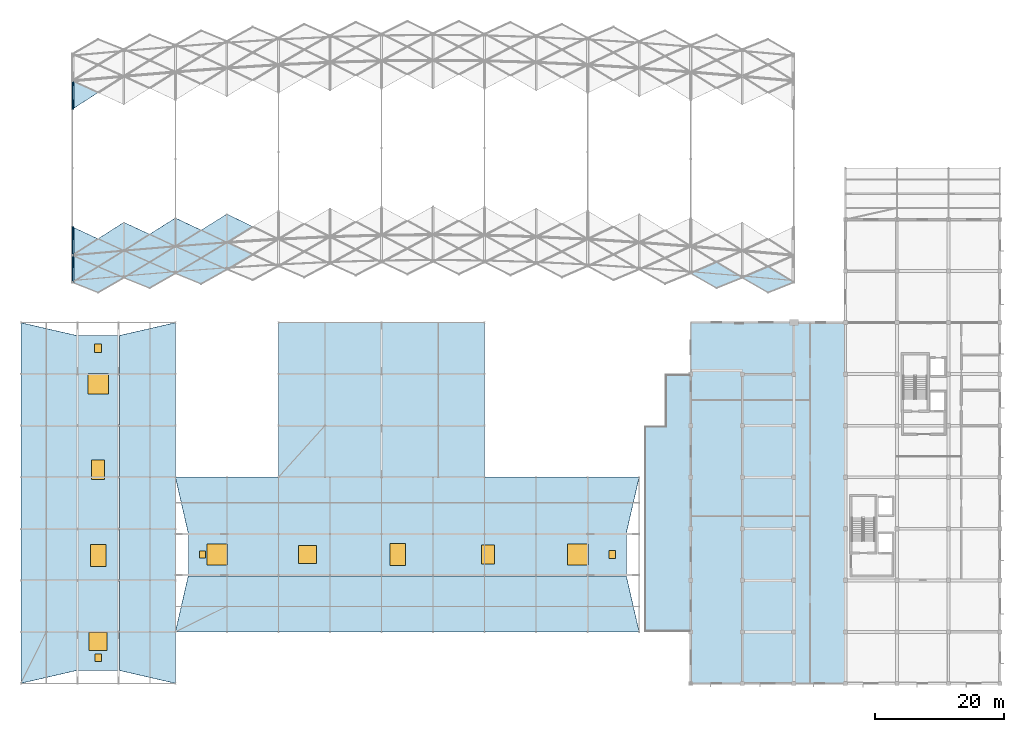
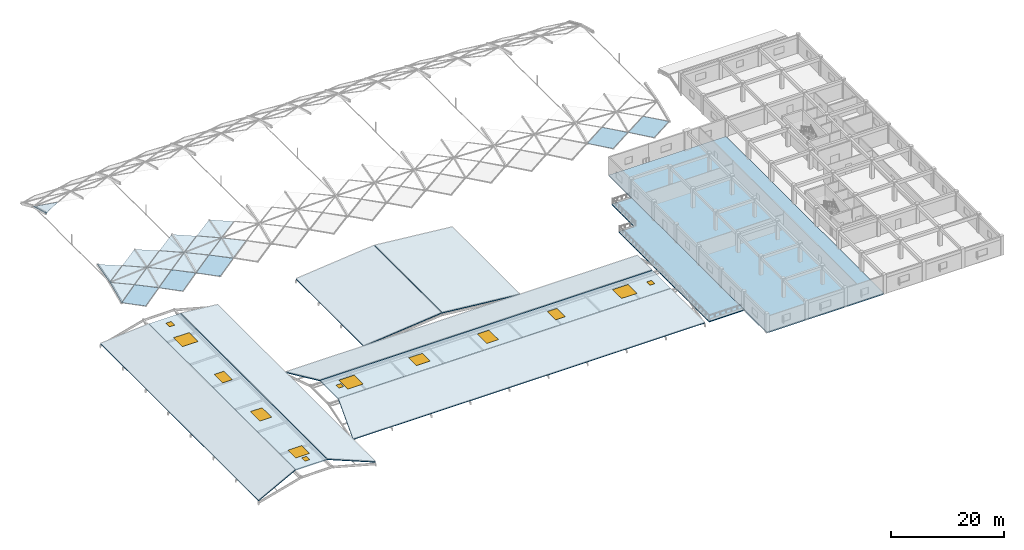
# One storey, part 31 of 54: 20 plates, 10 slabs, 9 windows, 4 doors, 13 openings.
"""IFC4 building model written with IfcOpenShell, lengths in metres."""

import ifcopenshell
import ifcopenshell.guid

model = None  # the IFC model being written
_history = None  # IfcOwnerHistory: only IFC2X3 demands one
_inside = {}  # id of a spatial element -> (the spatial element, [elements in it])
_under = {}  # id of a project, library or spatial element -> (it, [spatial elements below it])
_declared = {}  # id of a project -> (the project, [libraries it declares])
_typed = {}  # id of a type object -> (the type object, [elements of that type])
_made_of = {}  # id of a material, layer set ... -> (it, [elements and type objects made of it])


def new_model(schema):
    """Start an empty IFC model of exactly this schema.

    Asked for "IFC4X3", IfcOpenShell would pick the latest addendum, in which some entities
    have other attributes; the version numbers below select the first issue.
    IFC2X3 requires an IfcOwnerHistory on every rooted entity: one is made here for all.
    """
    global model, _history
    if schema == "IFC4X3":
        model = ifcopenshell.file(schema_version=(4, 3, 0, 0))
    else:
        model = ifcopenshell.file(schema=schema)
    _inside.clear()
    _under.clear()
    _declared.clear()
    _typed.clear()
    _made_of.clear()
    _history = None
    if model.schema == "IFC2X3":
        org = make("IfcOrganization", Name="unknown")
        user = make(
            "IfcPersonAndOrganization",
            ThePerson=make("IfcPerson", FamilyName="unknown"),
            TheOrganization=org,
        )
        app = make(
            "IfcApplication",
            ApplicationDeveloper=org,
            Version="unknown",
            ApplicationFullName="unknown",
            ApplicationIdentifier="unknown",
        )
        _history = make(
            "IfcOwnerHistory",
            OwningUser=user,
            OwningApplication=app,
            ChangeAction="ADDED",
            CreationDate=0,
        )
    return model


def make(cls, **values):
    """One entity of the class cls with the attributes given. An attribute that is None is left unset."""
    return model.create_entity(
        cls, **{name: value for name, value in values.items() if value is not None}
    )


def rooted(cls, **values):
    """An entity with a GlobalId (a new one), such as an element, a storey or a relation."""
    return make(cls, GlobalId=ifcopenshell.guid.new(), OwnerHistory=_history, **values)


def si_unit(unit_type, name, prefix=None):
    """IfcSIUnit, for example si_unit("LENGTHUNIT", "METRE", prefix="MILLI")."""
    return make("IfcSIUnit", UnitType=unit_type, Prefix=prefix, Name=name)


def assignment(units):
    """IfcUnitAssignment: the units of a project."""
    return None if units is None else make("IfcUnitAssignment", Units=units)


def point(xyz):
    """IfcCartesianPoint."""
    return None if xyz is None else make("IfcCartesianPoint", Coordinates=xyz)


def direction(xyz):
    """IfcDirection."""
    return None if xyz is None else make("IfcDirection", DirectionRatios=xyz)


def frame(location, z_axis=None, x_axis=None):
    """IfcAxis2Placement3D, a coordinate frame: its origin and axes. An axis left out is left unset."""
    return make(
        "IfcAxis2Placement3D",
        Location=point(location),
        Axis=direction(z_axis),
        RefDirection=direction(x_axis),
    )


def frame_2d(location, x_axis=None):
    """IfcAxis2Placement2D, a coordinate frame in the plane: its origin and x axis."""
    return make(
        "IfcAxis2Placement2D", Location=point(location), RefDirection=direction(x_axis)
    )


def origin():
    """The frame at (0, 0, 0) with its axes left unset."""
    return frame((0.0, 0.0, 0.0))


def origin_2d():
    """The frame at (0, 0) in the plane with its x axis left unset."""
    return frame_2d((0.0, 0.0))


def place(relative_to, where):
    """IfcLocalPlacement: puts the frame where relative to a parent placement (None: the world)."""
    return make(
        "IfcLocalPlacement", PlacementRelTo=relative_to, RelativePlacement=where
    )


def context(
    kind, dimensions, precision=None, world=None, true_north=None, identifier=None
):
    """IfcGeometricRepresentationContext, for example the 3D "Model" context."""
    return make(
        "IfcGeometricRepresentationContext",
        ContextIdentifier=identifier,
        ContextType=kind,
        CoordinateSpaceDimension=dimensions,
        Precision=precision,
        WorldCoordinateSystem=world,
        TrueNorth=true_north,
    )


def subcontext(parent, identifier, kind, view, scale=None):
    """IfcGeometricRepresentationSubContext, for example "Body" below "Model"."""
    return make(
        "IfcGeometricRepresentationSubContext",
        ContextIdentifier=identifier,
        ContextType=kind,
        ParentContext=parent,
        TargetScale=scale,
        TargetView=view,
    )


def project(units=None, contexts=None):
    """IfcProject with its units and contexts."""
    return rooted(
        "IfcProject",
        Name="project",
        RepresentationContexts=contexts,
        UnitsInContext=assignment(units),
    )


def spatial(cls, under=None, at=None, **own):
    """A site, building, storey or space (cls), placed at a placement, below another one or the project."""
    s = rooted(cls, ObjectPlacement=at, **own)
    if under is not None:
        _under.setdefault(under.id(), (under, []))[1].append(s)
    return s


def polyline(points):
    """IfcPolyline through the points."""
    return make("IfcPolyline", Points=[point(p) for p in points])


def profile(cls, at=None, kind="AREA", **sizes):
    """A parametric profile (cls). Its sizes go by their IFC names, for example OverallWidth=200.0."""
    return make(cls, ProfileType=kind, Position=at, **sizes)


def rectangle(**sizes):
    """IfcRectangleProfileDef."""
    return profile("IfcRectangleProfileDef", **sizes)


def outline(outer, holes=None, kind="AREA"):
    """IfcArbitraryClosedProfileDef: a profile drawn as a closed curve; with holes, ...WithVoids."""
    if holes is None:
        return make("IfcArbitraryClosedProfileDef", ProfileType=kind, OuterCurve=outer)
    return make(
        "IfcArbitraryProfileDefWithVoids",
        ProfileType=kind,
        OuterCurve=outer,
        InnerCurves=holes,
    )


def extrude(swept, where, along, depth):
    """IfcExtrudedAreaSolid: the profile swept, set in the frame where, extruded along a direction by depth."""
    return make(
        "IfcExtrudedAreaSolid",
        SweptArea=swept,
        Position=where,
        ExtrudedDirection=direction(along),
        Depth=depth,
    )


def shape(context_of_items, identifier, shape_type, items):
    """IfcShapeRepresentation: the items that make up one representation, for example the "Body"."""
    return make(
        "IfcShapeRepresentation",
        ContextOfItems=context_of_items,
        RepresentationIdentifier=identifier,
        RepresentationType=shape_type,
        Items=items,
    )


def material(Name=None, Category=None):
    """IfcMaterial."""
    return make("IfcMaterial", Name=Name, Category=Category)


def layer(
    of_material, thickness, ventilated=None, Name=None, Category=None, Priority=None
):
    """IfcMaterialLayer: one layer of a wall or slab, of a material (None: an air gap)."""
    return make(
        "IfcMaterialLayer",
        Material=of_material,
        LayerThickness=thickness,
        IsVentilated=ventilated,
        Name=Name,
        Category=Category,
        Priority=Priority,
    )


def layer_set(layers, Name=None):
    """IfcMaterialLayerSet."""
    return make("IfcMaterialLayerSet", MaterialLayers=layers, LayerSetName=Name)


def made_of(thing, what):
    """Note that an element or type object is made of a material, layer set ...; save() writes the relation."""
    if what is not None:
        _made_of.setdefault(what.id(), (what, []))[1].append(thing)
    return thing


def type_object(cls, material=None, **own):
    """A type object (cls), such as IfcWallType, which elements share."""
    return made_of(rooted(cls, **own), material)


def element(
    cls,
    number,
    at=None,
    inside=None,
    cuts=None,
    type_object=None,
    material=None,
    context=None,
    identifier="Body",
    shape_type=None,
    held_by="IfcProductDefinitionShape",
    body=None,
    shapes=None,
    **own,
):
    """One element of the class cls, such as IfcWall. Its Tag is "e" and its number.

    at: its placement. inside: the storey or other place that contains it. cuts: it is an
    opening in that element (IfcRelVoidsElement). A single representation is given by context,
    identifier, shape_type and body (its items); several are given by shapes. held_by: the class
    of the entity that holds the representations. save() writes the other relations.
    """
    e = rooted(cls, Tag="e%d" % number, ObjectPlacement=at, **own)
    if body is not None:
        shapes = [shape(context, identifier, shape_type, body)]
    if shapes is not None:
        e.Representation = make(held_by, Representations=shapes)
    if inside is not None:
        _inside.setdefault(inside.id(), (inside, []))[1].append(e)
    if cuts is not None:
        rooted(
            "IfcRelVoidsElement", RelatingBuildingElement=cuts, RelatedOpeningElement=e
        )
    if type_object is not None:
        _typed.setdefault(type_object.id(), (type_object, []))[1].append(e)
    return made_of(e, material)


def fill(opening, filler):
    """IfcRelFillsElement: the door or window that sits in an opening."""
    return rooted(
        "IfcRelFillsElement",
        RelatingOpeningElement=opening,
        RelatedBuildingElement=filler,
    )


def aggregate(whole, parts):
    """IfcRelAggregates: a whole, such as a stair, and the parts it consists of."""
    return rooted("IfcRelAggregates", RelatingObject=whole, RelatedObjects=parts)


def save(model, path):
    """Write the relations noted so far, then the file.

    IfcRelAggregates (storeys below a building ...), IfcRelContainedInSpatialStructure (elements
    in a storey), IfcRelDefinesByType, IfcRelAssociatesMaterial and IfcRelDeclares: one each for
    every whole, place, type object, material and project.
    """
    for whole, parts in _under.values():
        aggregate(whole, parts)
    for where, things in _inside.values():
        rooted(
            "IfcRelContainedInSpatialStructure",
            RelatedElements=things,
            RelatingStructure=where,
        )
    for kind, things in _typed.values():
        rooted("IfcRelDefinesByType", RelatedObjects=things, RelatingType=kind)
    for what, things in _made_of.values():
        rooted("IfcRelAssociatesMaterial", RelatedObjects=things, RelatingMaterial=what)
    for by, libraries in _declared.values():
        rooted("IfcRelDeclares", RelatingContext=by, RelatedDefinitions=libraries)
    model.write(path)


model = new_model("IFC4")

# Units and contexts
model_context = context("Model", 3, precision=1e-05, world=origin(), true_north=direction((0.0, 1.0)))
body_context = subcontext(model_context, "Body", "Model", "MODEL_VIEW")
ifc_project = project(units=[si_unit("LENGTHUNIT", "METRE"), si_unit("AREAUNIT", "SQUARE_METRE"), si_unit("VOLUMEUNIT", "CUBIC_METRE"), si_unit("PLANEANGLEUNIT", "RADIAN"), si_unit("MASSUNIT", "GRAM", prefix="KILO")], contexts=[model_context])

# Site, building, storey
site_placement = place(None, origin())
site = spatial("IfcSite", under=ifc_project, at=site_placement, CompositionType="ELEMENT")
building_placement = place(site_placement, origin())
building = spatial("IfcBuilding", under=site, at=building_placement, Name="Kenh Van Central Station", CompositionType="ELEMENT")
storey_placement = place(building_placement, frame((0.0, 0.0, 15.0)))
storey = spatial("IfcBuildingStorey", under=building, at=storey_placement, Name="L03", CompositionType="ELEMENT", Elevation=15.0)

# Plates
ifc_material_1 = material(Name="White fluoropolymer structural steel S355", Category="steel")
ifc_layer_1 = layer(ifc_material_1, 0.008056640625, Name="White fluoropolymer structural steel S355")
ifc_layer_set_1 = layer_set([ifc_layer_1], Name="White fluoropolymer structural steel S355")
plate_type_1 = type_object("IfcPlateType", Name="PLT-FASCIA-SH1", PredefinedType="SHEET", material=ifc_layer_set_1)
plate_1_placement = place(storey_placement, frame((32.0, 70.26953125, 2.228515625), z_axis=(0.0, -0.401679525559, 0.91578030048), x_axis=(1.0, 0.0, 0.0)))
element("IfcPlate", 1, at=plate_1_placement, inside=storey, type_object=plate_type_1, Name="Vault portal arch trim plate 03", PredefinedType="SHEET", context=body_context, shape_type="SweptSolid", body=[
    extrude(outline(polyline([(0.0, 0.0), (0.260009765625, 0.0), (0.260009765625, 4.5822006220298945), (0.0, 4.5822006220298945), (0.0, 0.0)])), origin(), (0.0, 0.0, -1.0), 0.008056640625),
])
plate_2_placement = place(storey_placement, frame((32.0, 97.113037109375, 5.28173828125), z_axis=(0.0, 0.264514030829, 0.964381836979), x_axis=(1.0, 0.0, 0.0)))
element("IfcPlate", 2, at=plate_2_placement, inside=storey, type_object=plate_type_1, Name="Vault portal arch trim plate 09", PredefinedType="SHEET", context=body_context, shape_type="SweptSolid", body=[
    extrude(outline(polyline([(0.0, 0.0), (0.260009765625, 0.0), (0.260009765625, 4.58443161059), (0.0, 4.58443161059), (0.0, 0.0)])), origin(), (0.0, 0.0, -1.0), 0.008056640625),
])
ifc_layer_2 = layer(ifc_material_1, 0.010009765625, Name="White fluoropolymer structural steel S355")
ifc_layer_set_2 = layer_set([ifc_layer_2], Name="White fluoropolymer structural steel S355")
plate_type_2 = type_object("IfcPlateType", Name="PLT-FASCIA-SH2", PredefinedType="SHEET", material=ifc_layer_set_2)
plate_3_placement = place(storey_placement, frame((32.0, 74.4658203125, 4.069091796875), z_axis=(0.0, -0.264514030829, 0.964381836979), x_axis=(1.0, 0.0, 0.0)))
element("IfcPlate", 3, at=plate_3_placement, inside=storey, type_object=plate_type_2, Name="Vault portal arch trim plate 04", PredefinedType="SHEET", context=body_context, shape_type="SweptSolid", body=[
    extrude(outline(polyline([(0.0, 0.0), (0.260009765625, 0.0), (0.260009765625, 4.58443161059), (0.0, 4.58443161059), (0.0, 0.0)])), origin(), (0.0, 0.0, -1.0), 0.010009765625),
])
ifc_material_2 = material(Name="Double-glazed low-E laminated solar glass", Category="glass")
ifc_layer_3 = layer(ifc_material_2, 0.02197265625, Name="Double-glazed low-E laminated solar glass")
ifc_layer_set_3 = layer_set([ifc_layer_3], Name="Double-glazed low-E laminated solar glass")
plate_type_3 = type_object("IfcPlateType", Name="PLT-VAULT-GLZ1", PredefinedType="SHEET", material=ifc_layer_set_3)
plate_4_placement = place(storey_placement, frame((32.005859375, 74.475830078125, 4.072021484375), z_axis=(0.005531373093, -0.264471598298, 0.964377611522), x_axis=(0.834790677568, 0.532165622301, 0.141153374332)))
element("IfcPlate", 4, at=plate_4_placement, inside=storey, type_object=plate_type_3, Name="Vault border triangle skylight pane 260", PredefinedType="SHEET", context=body_context, shape_type="SweptSolid", body=[
    extrude(outline(polyline([(0.0, 0.0), (4.770270968973928, -2.220446049250313e-16), (2.5130404548101573, 3.8096699947087758), (0.0, 0.0)])), origin(), (0.0, 0.0, -1.0), 0.02197265625),
])
ifc_layer_4 = layer(ifc_material_2, 0.02490234375, Name="Double-glazed low-E laminated solar glass")
ifc_layer_set_4 = layer_set([ifc_layer_4], Name="Double-glazed low-E laminated solar glass")
plate_type_4 = type_object("IfcPlateType", Name="PLT-VAULT-GLZ2", PredefinedType="SHEET", material=ifc_layer_set_4)
plate_5_placement = place(storey_placement, frame((32.0107421875, 74.48046875, 4.030029296875), z_axis=(0.029283647549, -0.328987883567, 0.943879992612), x_axis=(0.898829257782, -0.404464773351, -0.168861518626)))
element("IfcPlate", 5, at=plate_5_placement, inside=storey, type_object=plate_type_4, Name="Vault planar diamond skylight pane 003", PredefinedType="SHEET", context=body_context, shape_type="SweptSolid", body=[
    extrude(outline(polyline([(0.0, 0.0), (4.439642663610456, 1.942890293094024e-16), (6.881974680383396, 4.09392586331826), (2.4447372686387143, 4.100157714806035), (0.0, 0.0)])), origin(), (0.0, 0.0, -1.0), 0.02490234375),
])
plate_6_placement = place(storey_placement, frame((36.01025390625, 72.707763671875, 3.192138671875), z_axis=(0.035054185392, -0.401409126102, 0.915227795452), x_axis=(0.897545326486, -0.390116869315, -0.205478016289)))
element("IfcPlate", 6, at=plate_6_placement, inside=storey, type_object=plate_type_4, Name="Vault planar diamond skylight pane 012", PredefinedType="SHEET", context=body_context, shape_type="SweptSolid", body=[
    extrude(outline(polyline([(0.0, 0.0), (4.4470808669556385, 3.3306690738754696e-16), (6.887158786169223, 4.082886515708719), (2.442418299643868, 4.093667391136661), (0.0, 0.0)])), origin(), (0.0, 0.0, -1.0), 0.02490234375),
])
plate_7_placement = place(storey_placement, frame((40.009521484375, 71.01171875, 2.17626953125), z_axis=(0.040999278521, -0.484638912513, 0.873752930547), x_axis=(0.895557042477, -0.369946808048, -0.247218411297)))
element("IfcPlate", 7, at=plate_7_placement, inside=storey, type_object=plate_type_4, Name="Vault planar diamond skylight pane 020", PredefinedType="SHEET", context=body_context, shape_type="SweptSolid", body=[
    extrude(outline(polyline([(0.0, 0.0), (4.458590623021549, 2.220446049250313e-16), (6.893628591875287, 4.068211825314721), (2.438481771855802, 4.083302822430141), (0.0, 0.0)])), origin(), (0.0, 0.0, -1.0), 0.02490234375),
])
plate_8_placement = place(storey_placement, frame((52.01123046875, 78.370361328125, 4.708984375), z_axis=(0.018517468053, -0.264408077493, 0.964233100414), x_axis=(0.893953445264, -0.427531164598, -0.1344036495)))
element("IfcPlate", 8, at=plate_8_placement, inside=storey, type_object=plate_type_4, Name="Vault planar diamond skylight pane 051", PredefinedType="SHEET", context=body_context, shape_type="SweptSolid", body=[
    extrude(outline(polyline([(0.0, 0.0), (4.462763444142196, 2.7755575615628914e-16), (6.891422791054156, 4.05439006947862), (2.420300563584359, 4.077624077478753), (0.0, 0.0)])), origin(), (0.0, 0.0, -1.0), 0.02490234375),
])
plate_9_placement = place(storey_placement, frame((136.014404296875, 71.009033203125, 2.177001953125), z_axis=(-0.043140125912, -0.484658842348, 0.873638790388), x_axis=(0.83819560668, -0.493406617186, -0.232331734939)))
element("IfcPlate", 9, at=plate_9_placement, inside=storey, type_object=plate_type_4, Name="Vault planar diamond skylight pane 245", PredefinedType="SHEET", context=body_context, shape_type="SweptSolid", body=[
    extrude(outline(polyline([(0.0, 0.0), (4.7520611767161345, -5.551115123125783e-17), (7.0358097932161465, 3.823504286576395), (2.273061509410445, 3.8220277582749915), (0.0, 0.0)])), origin(), (0.0, 0.0, -1.0), 0.02490234375),
])
ifc_layer_5 = layer(ifc_material_2, 0.029052734375, Name="Double-glazed low-E laminated solar glass")
ifc_layer_set_5 = layer_set([ifc_layer_5], Name="Double-glazed low-E laminated solar glass")
plate_type_5 = type_object("IfcPlateType", Name="PLT-VAULT-GLZ4", PredefinedType="SHEET", material=ifc_layer_set_5)
plate_10_placement = place(storey_placement, frame((36.010986328125, 77.026123046875, 4.7099609375), z_axis=(0.023088470771, -0.264396575029, 0.964137632099), x_axis=(0.899139213373, -0.416112558875, -0.13564296267)))
element("IfcPlate", 10, at=plate_10_placement, inside=storey, type_object=plate_type_5, Name="Vault planar diamond skylight pane 013", PredefinedType="SHEET", context=body_context, shape_type="SweptSolid", body=[
    extrude(outline(polyline([(0.0, 0.0), (4.43729302018823, 1.6653345369377348e-16), (6.88198440176455, 4.092078172155038), (2.443658286016386, 4.101456544527569), (0.0, 0.0)])), origin(), (0.0, 0.0, -1.0), 0.029052734375),
])
plate_11_placement = place(storey_placement, frame((40.0107421875, 75.192626953125, 4.029296875), z_axis=(0.027810558906, -0.328954004153, 0.943936351649), x_axis=(0.897737464068, -0.407105662207, -0.168322385344)))
element("IfcPlate", 11, at=plate_11_placement, inside=storey, type_object=plate_type_5, Name="Vault planar diamond skylight pane 021", PredefinedType="SHEET", context=body_context, shape_type="SweptSolid", body=[
    extrude(outline(polyline([(0.0, 0.0), (4.445042512096643, -2.498001805406602e-16), (6.885902615256059, 4.081275258048162), (2.439616526012327, 4.094932809657605), (0.0, 0.0)])), origin(), (0.0, 0.0, -1.0), 0.029052734375),
])
plate_12_placement = place(storey_placement, frame((44.01025390625, 73.40673828125, 3.19140625), z_axis=(0.032385660512, -0.401380701411, 0.915338572075), x_axis=(0.895782440495, -0.394549573066, -0.204705773476)))
element("IfcPlate", 12, at=plate_12_placement, inside=storey, type_object=plate_type_5, Name="Vault planar diamond skylight pane 030", PredefinedType="SHEET", context=body_context, shape_type="SweptSolid", body=[
    extrude(outline(polyline([(0.0, 0.0), (4.455829923097168, 5.551115123125783e-17), (6.890913002043969, 4.067829959213268), (2.4340313295001406, 4.085371412019403), (0.0, 0.0)])), origin(), (0.0, 0.0, -1.0), 0.029052734375),
])
plate_13_placement = place(storey_placement, frame((48.009765625, 71.688232421875, 2.17529296875), z_axis=(0.036804059984, -0.484677176768, 0.873918471878), x_axis=(0.893277134897, -0.376088030181, -0.246198606464)))
element("IfcPlate", 13, at=plate_13_placement, inside=storey, type_object=plate_type_5, Name="Vault planar diamond skylight pane 040", PredefinedType="SHEET", context=body_context, shape_type="SweptSolid", body=[
    extrude(outline(polyline([(0.0, 0.0), (4.469419969262638, 1.1102230246251565e-16), (6.897287101775549, 4.051109411764491), (2.4271587717547654, 4.072136049753591), (0.0, 0.0)])), origin(), (0.0, 0.0, -1.0), 0.029052734375),
])
ifc_layer_6 = layer(ifc_material_2, 0.031005859375, Name="Double-glazed low-E laminated solar glass")
ifc_layer_set_6 = layer_set([ifc_layer_6], Name="Double-glazed low-E laminated solar glass")
plate_type_6 = type_object("IfcPlateType", Name="PLT-VAULT-GLZ5", PredefinedType="SHEET", material=ifc_layer_set_6)
plate_14_placement = place(storey_placement, frame((32.005859375, 70.279052734375, 2.232666015625), z_axis=(0.011873285745, -0.401661906554, 0.915711055906), x_axis=(0.836554636058, 0.505646015382, 0.210946552517)))
element("IfcPlate", 14, at=plate_14_placement, inside=storey, type_object=plate_type_6, Name="Vault border triangle skylight pane 258", PredefinedType="SHEET", context=body_context, shape_type="SweptSolid", body=[
    extrude(outline(polyline([(0.0, 0.0), (4.760212379123393, -1.1102230246251565e-16), (2.4991284934315354, 3.8158845693465144), (0.0, 0.0)])), origin(), (0.0, 0.0, -1.0), 0.031005859375),
])
plate_15_placement = place(storey_placement, frame((32.005859375, 97.123291015625, 5.279296875), z_axis=(-0.041812970297, 0.264261725553, 0.963544195106), x_axis=(0.834281634689, 0.53987141525, -0.111861561833)))
element("IfcPlate", 15, at=plate_15_placement, inside=storey, type_object=plate_type_6, Name="Vault border triangle skylight pane 270", PredefinedType="SHEET", context=body_context, shape_type="SweptSolid", body=[
    extrude(outline(polyline([(0.0, 0.0), (4.773181583767954, -3.3306690738754696e-16), (2.5114682928929164, 3.8104246173389877), (0.0, 0.0)])), origin(), (0.0, 0.0, -1.0), 0.031005859375),
])
ifc_layer_7 = layer(ifc_material_2, 0.034912109375, Name="Double-glazed low-E laminated solar glass")
ifc_layer_set_7 = layer_set([ifc_layer_7], Name="Double-glazed low-E laminated solar glass")
plate_type_7 = type_object("IfcPlateType", Name="PLT-VAULT-GLZ6", PredefinedType="SHEET", material=ifc_layer_set_7)
plate_16_placement = place(storey_placement, frame((32.009521484375, 70.299072265625, 2.177001953125), z_axis=(0.043140125912, -0.484658842348, 0.873638790388), x_axis=(0.896556346525, -0.367058498922, -0.247900737949)))
element("IfcPlate", 16, at=plate_16_placement, inside=storey, type_object=plate_type_7, Name="Vault planar diamond skylight pane 002", PredefinedType="SHEET", context=body_context, shape_type="SweptSolid", body=[
    extrude(outline(polyline([(0.0, 0.0), (4.453615696581126, -5.551115123125783e-17), (6.890402765160024, 4.079724771312324), (2.4435348843688707, 4.08814269123552), (0.0, 0.0)])), origin(), (0.0, 0.0, -1.0), 0.034912109375),
])
plate_17_placement = place(storey_placement, frame((44.01123046875, 77.724853515625, 4.70947265625), z_axis=(0.021340828094, -0.26439319448, 0.964178825617), x_axis=(0.897235426142, -0.420366930262, -0.135130433352)))
element("IfcPlate", 17, at=plate_17_placement, inside=storey, type_object=plate_type_7, Name="Vault planar diamond skylight pane 031", PredefinedType="SHEET", context=body_context, shape_type="SweptSolid", body=[
    extrude(outline(polyline([(0.0, 0.0), (4.446437820593616, -1.942890293094024e-16), (6.885784613515577, 4.076543527349571), (2.4346080868467865, 4.092824679619595), (0.0, 0.0)])), origin(), (0.0, 0.0, -1.0), 0.034912109375),
])
plate_18_placement = place(storey_placement, frame((48.010986328125, 75.869140625, 4.028564453125), z_axis=(0.024947968487, -0.328914499791, 0.944030111117), x_axis=(0.895184135876, -0.413002634807, -0.167553533292)))
element("IfcPlate", 18, at=plate_18_placement, inside=storey, type_object=plate_type_7, Name="Vault planar diamond skylight pane 041", PredefinedType="SHEET", context=body_context, shape_type="SweptSolid", body=[
    extrude(outline(polyline([(0.0, 0.0), (4.457172963233516, -1.1102230246251565e-16), (6.890196579592096, 4.063121017783593), (2.4274503235425042, 4.083112041218629), (0.0, 0.0)])), origin(), (0.0, 0.0, -1.0), 0.034912109375),
])
plate_19_placement = place(storey_placement, frame((52.010498046875, 74.052490234375, 3.190673828125), z_axis=(0.028113799649, -0.401432619983, 0.915456971071), x_axis=(0.892683574068, -0.402021362322, -0.203702873876)))
element("IfcPlate", 19, at=plate_19_placement, inside=storey, type_object=plate_type_7, Name="Vault planar diamond skylight pane 050", PredefinedType="SHEET", context=body_context, shape_type="SweptSolid", body=[
    extrude(outline(polyline([(0.0, 0.0), (4.4707498472331935, 0.0), (6.895543820268728, 4.047377217816648), (2.419595691309056, 4.070711947049493), (0.0, 0.0)])), origin(), (0.0, 0.0, -1.0), 0.034912109375),
])
plate_20_placement = place(storey_placement, frame((128.014404296875, 71.68603515625, 2.176025390625), z_axis=(-0.040999278521, -0.484638912513, 0.873752930547), x_axis=(0.840100162262, -0.490111673078, -0.232426903089)))
element("IfcPlate", 20, at=plate_20_placement, inside=storey, type_object=plate_type_7, Name="Vault planar diamond skylight pane 227", PredefinedType="SHEET", context=body_context, shape_type="SweptSolid", body=[
    extrude(outline(polyline([(0.0, 0.0), (4.741282249074597, 2.7755575615628914e-16), (7.0311348425901485, 3.8256509829917564), (2.275135232193803, 3.8304465276719517), (0.0, 0.0)])), origin(), (0.0, 0.0, -1.0), 0.034912109375),
])

# Slabs
ifc_material_3 = material(Name="Concrete C35/45", Category="concrete")
ifc_layer_8 = layer(ifc_material_3, 0.25, Name="Concrete C35/45")
ifc_layer_set_8 = layer_set([ifc_layer_8], Name="Concrete C35/45")
slab_type_1 = type_object("IfcSlabType", Name="SLB-FLR-250", PredefinedType="FLOOR", material=ifc_layer_set_8)
slab_1_placement = place(storey_placement, frame((0.0, 0.0, -0.25)))
element("IfcSlab", 21, at=slab_1_placement, inside=storey, type_object=slab_type_1, Name="L03 slab SLB-L03-EA", PredefinedType="FLOOR", context=body_context, shape_type="SweptSolid", body=[
    extrude(outline(polyline([(128.0, 8.0), (152.0, 8.0), (152.0, 64.0), (128.0, 64.0), (128.0, 8.0)])), origin(), (0.0, 0.0, 1.0), 0.25),
])
ifc_layer_9 = layer(ifc_material_3, 0.18994140625, Name="Concrete C35/45")
ifc_layer_set_9 = layer_set([ifc_layer_9], Name="Concrete C35/45")
slab_type_2 = type_object("IfcSlabType", Name="SLB-ROOF-190", PredefinedType="ROOF", material=ifc_layer_set_9)
for number, where, z_axis, x_axis, name in (
    (22, (64.0, 40.0, 0.0), (-0.100129933045, 0.0, 0.994974369775), (0.994974369775, 0.0, 0.100129933045), "L03 sloped roof RF-BRDG-A"),
    (23, (80.10009765625, 40.0, 1.60009765625), (0.100129933045, 0.0, 0.994974369775), (0.994974369775, 0.0, -0.100129933045), "L03 sloped roof RF-BRDG-B"),
):
    element("IfcSlab", number, at=place(storey_placement, frame(where, z_axis=z_axis, x_axis=x_axis)), inside=storey, type_object=slab_type_2, Name=name, PredefinedType="ROOF", context=body_context, shape_type="SweptSolid", body=[
        extrude(outline(polyline([(0.0, 0.0), (15.980212985136447, 0.0), (15.980212985136447, 23.999999999999996), (0.0, 23.999999999999996), (0.0, 0.0)])), origin(), (0.0, 0.0, -1.0), 0.18994140625),
    ])
slab_2_placement = place(storey_placement, frame((24.0, 8.0, 0.0), z_axis=(-0.265920329545, 0.0, 0.963995009497), x_axis=(0.941161453727, 0.216360169186, 0.259621638561)))
element("IfcSlab", 24, at=slab_2_placement, inside=storey, type_object=slab_type_2, Name="L03 sloped roof RF-WEST-S", PredefinedType="ROOF", context=body_context, shape_type="SweptSolid", body=[
    extrude(outline(polyline([(0.0, 0.0), (9.243845609514796, -8.326672684688674e-17), (20.494574407164947, 50.768308042732), (12.116169474392471, 54.673562507557534), (0.0, 0.0)])), origin(), (0.0, 0.0, -1.0), 0.18994140625),
])
slab_3_placement = place(storey_placement, frame((39.300048828125, 10.0, 2.39990234375), z_axis=(0.265920329545, 0.0, 0.963995009497), x_axis=(0.941161453727, -0.216360169186, -0.259621638561)))
element("IfcSlab", 25, at=slab_3_placement, inside=storey, type_object=slab_type_2, Name="L03 sloped roof RF-WEST-N", PredefinedType="ROOF", context=body_context, shape_type="SweptSolid", body=[
    extrude(outline(polyline([(0.0, 0.0), (9.243845609514796, 8.326672684688674e-17), (-2.872323864877676, 54.673562507557534), (-11.250728797650153, 50.768308042731995), (0.0, 0.0)])), origin(), (0.0, 0.0, -1.0), 0.18994140625),
])

# Slab, openings, doors, windows
slab_4_placement = place(storey_placement, frame((0.0, 0.0, 2.2099609375)))
slab_4 = element("IfcSlab", 26, at=slab_4_placement, inside=storey, type_object=slab_type_2, Name="L03 skylight crown deck RF-WEST-CRN", PredefinedType="ROOF", context=body_context, shape_type="SweptSolid", body=[
    extrude(outline(polyline([(32.800048828125, 10.0), (39.199951171875, 10.0), (39.199951171875, 62.0), (32.800048828125, 62.0), (32.800048828125, 10.0)])), origin(), (0.0, 0.0, 1.0), 0.18994140625),
])
opening_1_placement = place(slab_4_placement, frame((36.0, 14.5, 0.0)))
opening_1 = element("IfcOpeningElement", 27, at=opening_1_placement, cuts=slab_4, Name="Opening SK-02", PredefinedType="OPENING", context=body_context, shape_type="SweptSolid", body=[
    extrude(rectangle(XDim=2.800048828125, YDim=2.800048828125, at=origin_2d()), origin(), (0.0, 0.0, 1.0), 0.18994140625),
])
opening_2_placement = place(slab_4_placement, frame((36.0, 27.833251953125, 0.0)))
opening_2 = element("IfcOpeningElement", 28, at=opening_2_placement, cuts=slab_4, Name="Opening SK-03", PredefinedType="OPENING", context=body_context, shape_type="SweptSolid", body=[
    extrude(rectangle(XDim=2.39990234375, YDim=3.39990234375, at=origin_2d()), origin(), (0.0, 0.0, 1.0), 0.18994140625),
])
opening_3_placement = place(slab_4_placement, frame((36.0, 41.166748046875, 0.0)))
opening_3 = element("IfcOpeningElement", 29, at=opening_3_placement, cuts=slab_4, Name="Opening SK-04", PredefinedType="OPENING", context=body_context, shape_type="SweptSolid", body=[
    extrude(rectangle(XDim=2.0, YDim=3.0, at=origin_2d()), origin(), (0.0, 0.0, 1.0), 0.18994140625),
])
opening_4_placement = place(slab_4_placement, frame((36.0, 54.5, 0.0)))
opening_4 = element("IfcOpeningElement", 30, at=opening_4_placement, cuts=slab_4, Name="Opening SK-01", PredefinedType="OPENING", context=body_context, shape_type="SweptSolid", body=[
    extrude(rectangle(XDim=3.199951171875, YDim=3.199951171875, at=origin_2d()), origin(), (0.0, 0.0, 1.0), 0.18994140625),
])
opening_5_placement = place(slab_4_placement, frame((36.0, 60.0, 0.0)))
opening_5 = element("IfcOpeningElement", 31, at=opening_5_placement, cuts=slab_4, Name="Opening TD-3", PredefinedType="OPENING", context=body_context, shape_type="SweptSolid", body=[
    extrude(rectangle(XDim=1.10009765625, YDim=1.300048828125, at=origin_2d()), origin(), (0.0, 0.0, 1.0), 0.18994140625),
])
opening_6_placement = place(slab_4_placement, frame((36.0, 12.0, 0.0)))
opening_6 = element("IfcOpeningElement", 32, at=opening_6_placement, cuts=slab_4, Name="Opening TD-1", PredefinedType="OPENING", context=body_context, shape_type="SweptSolid", body=[
    extrude(rectangle(XDim=1.0, YDim=1.199951171875, at=origin_2d()), origin(), (0.0, 0.0, 1.0), 0.18994140625),
])
ifc_material_4 = material(Name="Champagne anodised aluminium", Category="aluminium")
door_type_1 = type_object("IfcDoorType", Name="DR-TRP-1000x1200", OperationType="SINGLE_SWING_LEFT", PredefinedType="TRAPDOOR", material=ifc_material_4)
door_1_placement = place(opening_6_placement, frame((0.0, 0.0, 0.139892578125)))
door_1 = element("IfcDoor", 33, at=door_1_placement, inside=storey, type_object=door_type_1, Name="L03 roof access hatch 04", OperationType="SINGLE_SWING_LEFT", OverallHeight=1.199951171875, OverallWidth=1.0, PredefinedType="TRAPDOOR", context=body_context, shape_type="SweptSolid", body=[
    extrude(rectangle(XDim=1.0, YDim=1.199951171875, at=origin_2d()), origin(), (0.0, 0.0, 1.0), 0.050048828125),
])
fill(opening_6, door_1)
door_type_2 = type_object("IfcDoorType", Name="DR-TRP-1100x1300", OperationType="SINGLE_SWING_LEFT", PredefinedType="TRAPDOOR", material=ifc_material_4)
door_2_placement = place(opening_5_placement, frame((0.0, 0.0, 0.139892578125)))
door_2 = element("IfcDoor", 34, at=door_2_placement, inside=storey, type_object=door_type_2, Name="L03 roof access hatch 03", OperationType="SINGLE_SWING_LEFT", OverallHeight=1.300048828125, OverallWidth=1.10009765625, PredefinedType="TRAPDOOR", context=body_context, shape_type="SweptSolid", body=[
    extrude(rectangle(XDim=1.10009765625, YDim=1.300048828125, at=origin_2d()), origin(), (0.0, 0.0, 1.0), 0.050048828125),
])
fill(opening_5, door_2)
window_type_1 = type_object("IfcWindowType", Name="SKY-OCU-2000x3000", PartitioningType="DOUBLE_PANEL_VERTICAL", PredefinedType="SKYLIGHT", material=ifc_material_2)
window_1_placement = place(opening_3_placement, frame((0.0, 0.0, 0.139892578125)))
window_1 = element("IfcWindow", 35, at=window_1_placement, inside=storey, type_object=window_type_1, Name="L03 atrium skylight 08", OverallHeight=3.0, OverallWidth=2.0, PartitioningType="SINGLE_PANEL", PredefinedType="SKYLIGHT", context=body_context, shape_type="SweptSolid", body=[
    extrude(rectangle(XDim=2.0, YDim=3.0, at=origin_2d()), origin(), (0.0, 0.0, 1.0), 0.050048828125),
])
fill(opening_3, window_1)
window_type_2 = type_object("IfcWindowType", Name="SKY-OCU-2400x3400", PartitioningType="DOUBLE_PANEL_VERTICAL", PredefinedType="SKYLIGHT", material=ifc_material_2)
window_2_placement = place(opening_2_placement, frame((0.0, 0.0, 0.139892578125)))
window_2 = element("IfcWindow", 36, at=window_2_placement, inside=storey, type_object=window_type_2, Name="L03 atrium skylight 07", OverallHeight=3.39990234375, OverallWidth=2.39990234375, PartitioningType="SINGLE_PANEL", PredefinedType="SKYLIGHT", context=body_context, shape_type="SweptSolid", body=[
    extrude(rectangle(XDim=2.39990234375, YDim=3.39990234375, at=origin_2d()), origin(), (0.0, 0.0, 1.0), 0.050048828125),
])
fill(opening_2, window_2)
window_type_3 = type_object("IfcWindowType", Name="SKY-OCU-2800x2800", PartitioningType="DOUBLE_PANEL_VERTICAL", PredefinedType="SKYLIGHT", material=ifc_material_2)
window_3_placement = place(opening_1_placement, frame((0.0, 0.0, 0.139892578125)))
window_3 = element("IfcWindow", 37, at=window_3_placement, inside=storey, type_object=window_type_3, Name="L03 atrium skylight 06", OverallHeight=2.800048828125, OverallWidth=2.800048828125, PartitioningType="SINGLE_PANEL", PredefinedType="SKYLIGHT", context=body_context, shape_type="SweptSolid", body=[
    extrude(rectangle(XDim=2.800048828125, YDim=2.800048828125, at=origin_2d()), origin(), (0.0, 0.0, 1.0), 0.050048828125),
])
fill(opening_1, window_3)
window_type_4 = type_object("IfcWindowType", Name="SKY-OCU-3200x3200", PartitioningType="DOUBLE_PANEL_VERTICAL", PredefinedType="SKYLIGHT", material=ifc_material_2)
window_4_placement = place(opening_4_placement, frame((0.0, 0.0, 0.139892578125)))
window_4 = element("IfcWindow", 38, at=window_4_placement, inside=storey, type_object=window_type_4, Name="L03 atrium skylight 09", OverallHeight=3.199951171875, OverallWidth=3.199951171875, PartitioningType="SINGLE_PANEL", PredefinedType="SKYLIGHT", context=body_context, shape_type="SweptSolid", body=[
    extrude(rectangle(XDim=3.199951171875, YDim=3.199951171875, at=origin_2d()), origin(), (0.0, 0.0, 1.0), 0.050048828125),
])
fill(opening_4, window_4)

# Slabs
ifc_layer_10 = layer(ifc_material_3, 0.205078125, Name="Concrete C35/45")
ifc_layer_set_10 = layer_set([ifc_layer_10], Name="Concrete C35/45")
slab_type_3 = type_object("IfcSlabType", Name="SLB-ROOF-205", PredefinedType="ROOF", material=ifc_layer_set_10)
slab_5_placement = place(storey_placement, frame((48.0, 16.0, 0.0), z_axis=(0.0, -0.306369735686, 0.95191259318), x_axis=(1.0, 0.0, 0.0)))
element("IfcSlab", 39, at=slab_5_placement, inside=storey, type_object=slab_type_3, Name="L03 sloped roof RF-CONC-S", PredefinedType="ROOF", context=body_context, shape_type="SweptSolid", body=[
    extrude(outline(polyline([(0.0, 0.0), (72.0, 0.0), (70.0, 9.139443299944114), (2.0, 9.139443299944114), (0.0, 0.0)])), origin(), (0.0, 0.0, -1.0), 0.205078125),
])
slab_6_placement = place(storey_placement, frame((50.0, 31.300048828125, 2.800048828125), z_axis=(0.0, 0.306369735686, 0.95191259318), x_axis=(1.0, 0.0, 0.0)))
element("IfcSlab", 40, at=slab_6_placement, inside=storey, type_object=slab_type_3, Name="L03 sloped roof RF-CONC-N", PredefinedType="ROOF", context=body_context, shape_type="SweptSolid", body=[
    extrude(outline(polyline([(0.0, 0.0), (68.0, 0.0), (70.0, 9.139443299944114), (-2.0, 9.139443299944114), (0.0, 0.0)])), origin(), (0.0, 0.0, -1.0), 0.205078125),
])

# Slab, openings, doors, windows
slab_7_placement = place(storey_placement, frame((0.0, 0.0, 2.594970703125)))
slab_7 = element("IfcSlab", 41, at=slab_7_placement, inside=storey, type_object=slab_type_3, Name="L03 skylight crown deck RF-CONC-CRN", PredefinedType="ROOF", context=body_context, shape_type="SweptSolid", body=[
    extrude(outline(polyline([(50.0, 24.800048828125), (118.0, 24.800048828125), (118.0, 31.199951171875), (50.0, 31.199951171875), (50.0, 24.800048828125)])), origin(), (0.0, 0.0, 1.0), 0.205078125),
])
opening_7_placement = place(slab_7_placement, frame((54.5, 28.0, 0.0)))
opening_7 = element("IfcOpeningElement", 42, at=opening_7_placement, cuts=slab_7, Name="Opening SK-01", PredefinedType="OPENING", context=body_context, shape_type="SweptSolid", body=[
    extrude(rectangle(XDim=3.199951171875, YDim=3.199951171875, at=origin_2d()), origin(), (0.0, 0.0, 1.0), 0.205078125),
])
opening_8_placement = place(slab_7_placement, frame((68.5, 28.0, 0.0)))
opening_8 = element("IfcOpeningElement", 43, at=opening_8_placement, cuts=slab_7, Name="Opening SK-02", PredefinedType="OPENING", context=body_context, shape_type="SweptSolid", body=[
    extrude(rectangle(XDim=2.800048828125, YDim=2.800048828125, at=origin_2d()), origin(), (0.0, 0.0, 1.0), 0.205078125),
])
opening_9_placement = place(slab_7_placement, frame((82.5, 28.0, 0.0)))
opening_9 = element("IfcOpeningElement", 44, at=opening_9_placement, cuts=slab_7, Name="Opening SK-03", PredefinedType="OPENING", context=body_context, shape_type="SweptSolid", body=[
    extrude(rectangle(XDim=2.39990234375, YDim=3.39990234375, at=origin_2d()), origin(), (0.0, 0.0, 1.0), 0.205078125),
])
opening_10_placement = place(slab_7_placement, frame((96.5, 28.0, 0.0)))
opening_10 = element("IfcOpeningElement", 45, at=opening_10_placement, cuts=slab_7, Name="Opening SK-04", PredefinedType="OPENING", context=body_context, shape_type="SweptSolid", body=[
    extrude(rectangle(XDim=2.0, YDim=3.0, at=origin_2d()), origin(), (0.0, 0.0, 1.0), 0.205078125),
])
opening_11_placement = place(slab_7_placement, frame((110.5, 28.0, 0.0)))
opening_11 = element("IfcOpeningElement", 46, at=opening_11_placement, cuts=slab_7, Name="Opening SK-01", PredefinedType="OPENING", context=body_context, shape_type="SweptSolid", body=[
    extrude(rectangle(XDim=3.199951171875, YDim=3.199951171875, at=origin_2d()), origin(), (0.0, 0.0, 1.0), 0.205078125),
])
opening_12_placement = place(slab_7_placement, frame((115.800048828125, 28.0, 0.0)))
opening_12 = element("IfcOpeningElement", 47, at=opening_12_placement, cuts=slab_7, Name="Opening TD-1", PredefinedType="OPENING", context=body_context, shape_type="SweptSolid", body=[
    extrude(rectangle(XDim=1.0, YDim=1.199951171875, at=origin_2d()), origin(), (0.0, 0.0, 1.0), 0.205078125),
])
opening_13_placement = place(slab_7_placement, frame((52.199951171875, 28.0, 0.0)))
opening_13 = element("IfcOpeningElement", 48, at=opening_13_placement, cuts=slab_7, Name="Opening TD-2", PredefinedType="OPENING", context=body_context, shape_type="SweptSolid", body=[
    extrude(rectangle(XDim=0.949951171875, YDim=1.10009765625, at=origin_2d()), origin(), (0.0, 0.0, 1.0), 0.205078125),
])
door_3_placement = place(opening_12_placement, frame((0.0, 0.0, 0.155029296875)))
door_3 = element("IfcDoor", 49, at=door_3_placement, inside=storey, type_object=door_type_1, Name="L03 roof access hatch 01", OperationType="SINGLE_SWING_LEFT", OverallHeight=1.199951171875, OverallWidth=1.0, PredefinedType="TRAPDOOR", context=body_context, shape_type="SweptSolid", body=[
    extrude(rectangle(XDim=1.0, YDim=1.199951171875, at=origin_2d()), origin(), (0.0, 0.0, 1.0), 0.050048828125),
])
fill(opening_12, door_3)
door_type_3 = type_object("IfcDoorType", Name="DR-TRP-950x1100", OperationType="SINGLE_SWING_LEFT", PredefinedType="TRAPDOOR", material=ifc_material_4)
door_4_placement = place(opening_13_placement, frame((0.0, 0.0, 0.155029296875)))
door_4 = element("IfcDoor", 50, at=door_4_placement, inside=storey, type_object=door_type_3, Name="L03 roof access hatch 02", OperationType="SINGLE_SWING_LEFT", OverallHeight=1.10009765625, OverallWidth=0.949951171875, PredefinedType="TRAPDOOR", context=body_context, shape_type="SweptSolid", body=[
    extrude(rectangle(XDim=0.949951171875, YDim=1.10009765625, at=origin_2d()), origin(), (0.0, 0.0, 1.0), 0.050048828125),
])
fill(opening_13, door_4)
window_5_placement = place(opening_10_placement, frame((0.0, 0.0, 0.155029296875)))
window_5 = element("IfcWindow", 51, at=window_5_placement, inside=storey, type_object=window_type_1, Name="L03 clerestory oculus skylight 04", OverallHeight=3.0, OverallWidth=2.0, PartitioningType="SINGLE_PANEL", PredefinedType="SKYLIGHT", context=body_context, shape_type="SweptSolid", body=[
    extrude(rectangle(XDim=2.0, YDim=3.0, at=origin_2d()), origin(), (0.0, 0.0, 1.0), 0.050048828125),
])
fill(opening_10, window_5)
window_6_placement = place(opening_9_placement, frame((0.0, 0.0, 0.155029296875)))
window_6 = element("IfcWindow", 52, at=window_6_placement, inside=storey, type_object=window_type_2, Name="L03 clerestory oculus skylight 03", OverallHeight=3.39990234375, OverallWidth=2.39990234375, PartitioningType="SINGLE_PANEL", PredefinedType="SKYLIGHT", context=body_context, shape_type="SweptSolid", body=[
    extrude(rectangle(XDim=2.39990234375, YDim=3.39990234375, at=origin_2d()), origin(), (0.0, 0.0, 1.0), 0.050048828125),
])
fill(opening_9, window_6)
window_7_placement = place(opening_8_placement, frame((0.0, 0.0, 0.155029296875)))
window_7 = element("IfcWindow", 53, at=window_7_placement, inside=storey, type_object=window_type_3, Name="L03 clerestory oculus skylight 02", OverallHeight=2.800048828125, OverallWidth=2.800048828125, PartitioningType="SINGLE_PANEL", PredefinedType="SKYLIGHT", context=body_context, shape_type="SweptSolid", body=[
    extrude(rectangle(XDim=2.800048828125, YDim=2.800048828125, at=origin_2d()), origin(), (0.0, 0.0, 1.0), 0.050048828125),
])
fill(opening_8, window_7)
window_8_placement = place(opening_7_placement, frame((0.0, 0.0, 0.155029296875)))
window_8 = element("IfcWindow", 54, at=window_8_placement, inside=storey, type_object=window_type_4, Name="L03 clerestory oculus skylight 01", OverallHeight=3.199951171875, OverallWidth=3.199951171875, PartitioningType="SINGLE_PANEL", PredefinedType="SKYLIGHT", context=body_context, shape_type="SweptSolid", body=[
    extrude(rectangle(XDim=3.199951171875, YDim=3.199951171875, at=origin_2d()), origin(), (0.0, 0.0, 1.0), 0.050048828125),
])
fill(opening_7, window_8)
window_9_placement = place(opening_11_placement, frame((0.0, 0.0, 0.155029296875)))
window_9 = element("IfcWindow", 55, at=window_9_placement, inside=storey, type_object=window_type_4, Name="L03 clerestory oculus skylight 05", OverallHeight=3.199951171875, OverallWidth=3.199951171875, PartitioningType="SINGLE_PANEL", PredefinedType="SKYLIGHT", context=body_context, shape_type="SweptSolid", body=[
    extrude(rectangle(XDim=3.199951171875, YDim=3.199951171875, at=origin_2d()), origin(), (0.0, 0.0, 1.0), 0.050048828125),
])
fill(opening_11, window_9)

# Slab
ifc_layer_11 = layer(ifc_material_3, 0.215087890625, Name="Concrete C35/45")
ifc_layer_set_11 = layer_set([ifc_layer_11], Name="Concrete C35/45")
slab_type_4 = type_object("IfcSlabType", Name="SLB-TERR-215", PredefinedType="FLOOR", material=ifc_layer_set_11)
slab_8_placement = place(storey_placement, frame((0.0, 0.0, -0.215087890625)))
element("IfcSlab", 56, at=slab_8_placement, inside=storey, type_object=slab_type_4, Name="L03 slab SLB-L03-TERR", PredefinedType="FLOOR", context=body_context, shape_type="SweptSolid", body=[
    extrude(outline(polyline([(128.0, 16.0), (128.0, 56.0), (124.0, 56.0), (124.0, 48.0), (120.800048828125, 48.0), (120.800048828125, 16.0), (128.0, 16.0)])), origin(), (0.0, 0.0, 1.0), 0.215087890625),
])

save(model, "model.ifc")
